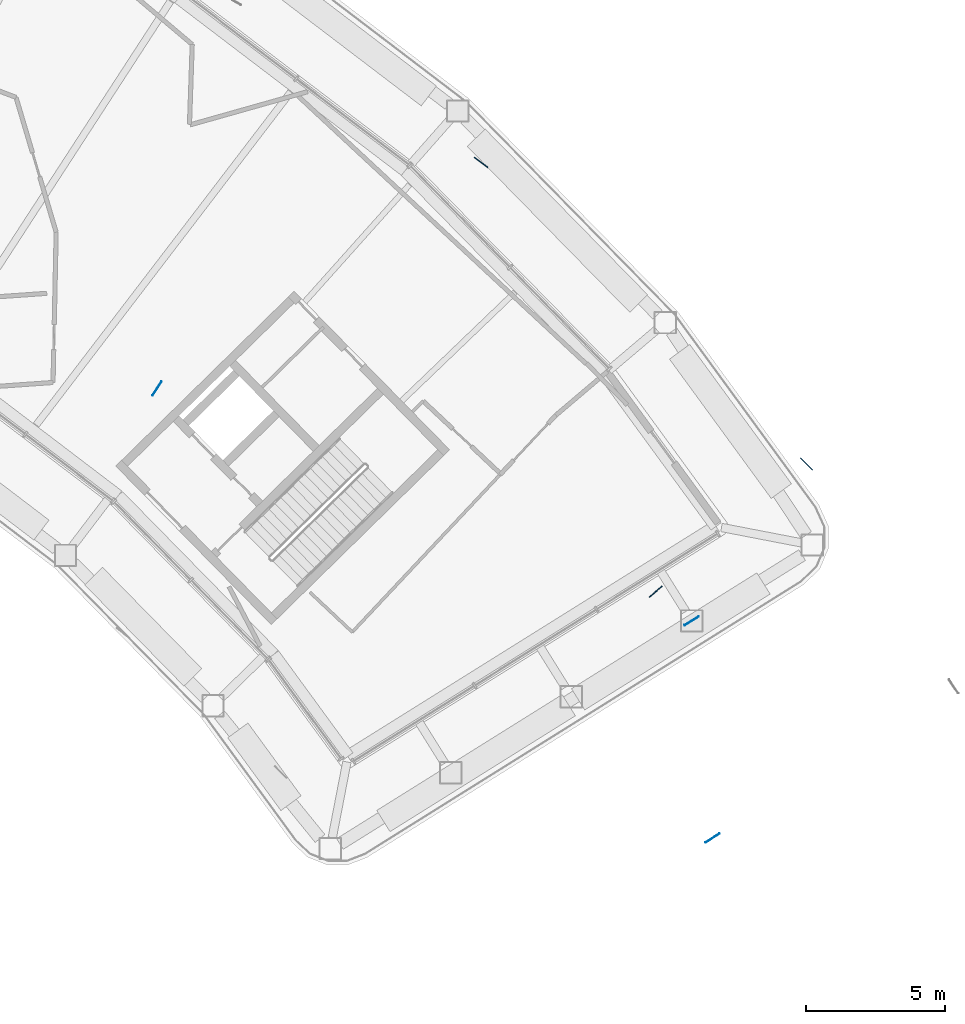
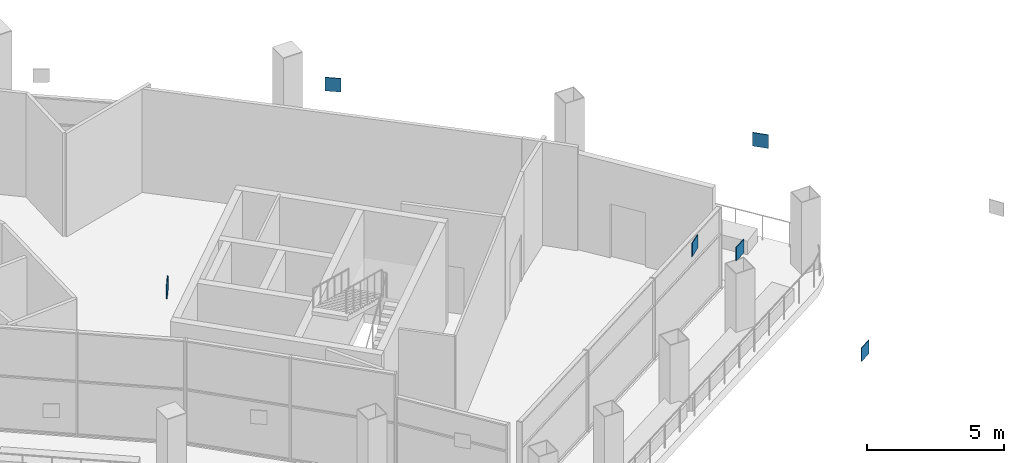
# One storey, part 24 of 29: 6 discrete accessories.
"""IFC4 building model written with IfcOpenShell, lengths in metres."""

from ifc_helpers import new_model, si_unit, direction, frame, origin, origin_2d, place, context, subcontext, project, spatial, rectangle, extrude, material, type_object, element, save


model = new_model("IFC4")

# Units and contexts
model_context = context("Model", 3, precision=1e-05, world=origin(), true_north=direction((0.0, 1.0)))
body_context = subcontext(model_context, "Body", "Model", "MODEL_VIEW")
ifc_project = project(units=[si_unit("LENGTHUNIT", "METRE"), si_unit("AREAUNIT", "SQUARE_METRE"), si_unit("VOLUMEUNIT", "CUBIC_METRE"), si_unit("PLANEANGLEUNIT", "RADIAN"), si_unit("MASSUNIT", "GRAM", prefix="KILO")], contexts=[model_context])

# Site, building, storey
site_placement = place(None, origin())
site = spatial("IfcSite", under=ifc_project, at=site_placement, CompositionType="ELEMENT")
building_placement = place(site_placement, origin())
building = spatial("IfcBuilding", under=site, at=building_placement, Name="Tuul Gate Civic Tower", CompositionType="ELEMENT")
storey_placement = place(building_placement, frame((0.0, 0.0, 238.89990234375)))
storey = spatial("IfcBuildingStorey", under=building, at=storey_placement, Name="Sky garden level 2", CompositionType="ELEMENT", Elevation=238.89990234375)

# Discrete accessories
ifc_material = material(Name="Steel S355", Category="steel")
discrete_accessory_type = type_object("IfcDiscreteAccessoryType", Name="Gusset plate", PredefinedType="BRACKET", material=ifc_material)
for number, where, z_axis, x_axis, name in (
    (1, (44.002197265625, -9.928466796875, 3.59716796875), (0.0, 0.0, 1.0), (0.546721915066, 0.837314246616, 0.0), "Gusset plate"),
    (2, (61.97265625, -17.24462890625, 3.597412109375), (0.0, 0.0, 1.0), (0.76284784567, 0.646578041969, 0.0), "Gusset plate"),
    (3, (67.4033203125, -12.641845703125, 3.5966796875), (0.0, 0.0, 1.0), (-0.700047997827, 0.71409579241, 0.0), "Gusset plate"),
    (4, (55.680419921875, -1.782470703125, 3.596923828125), (0.0, 0.0, 1.0), (0.79558433034, -0.605842861902, 0.0), "Gusset plate"),
    (5, (64.01708984375, -26.123046875, 3.5966796875), (0.0, 0.0, 1.0), (-0.846187288195, -0.532885609956, 0.0), "Gusset plate"),
    (6, (63.26806640625, -18.297119140625, 3.5966796875), (0.0, 0.0, 1.0), (0.84627513954, 0.532746082291, 0.0), "Gusset plate"),
):
    element("IfcDiscreteAccessory", number, at=place(storey_placement, frame(where, z_axis=z_axis, x_axis=x_axis)), inside=storey, type_object=discrete_accessory_type, Name=name, PredefinedType="BRACKET", context=body_context, shape_type="SweptSolid", body=[
        extrude(rectangle(XDim=0.60009765625, YDim=0.030029296875, at=origin_2d()), origin(), (0.0, 0.0, 1.0), 0.60009765625),
    ])

save(model, "model.ifc")
